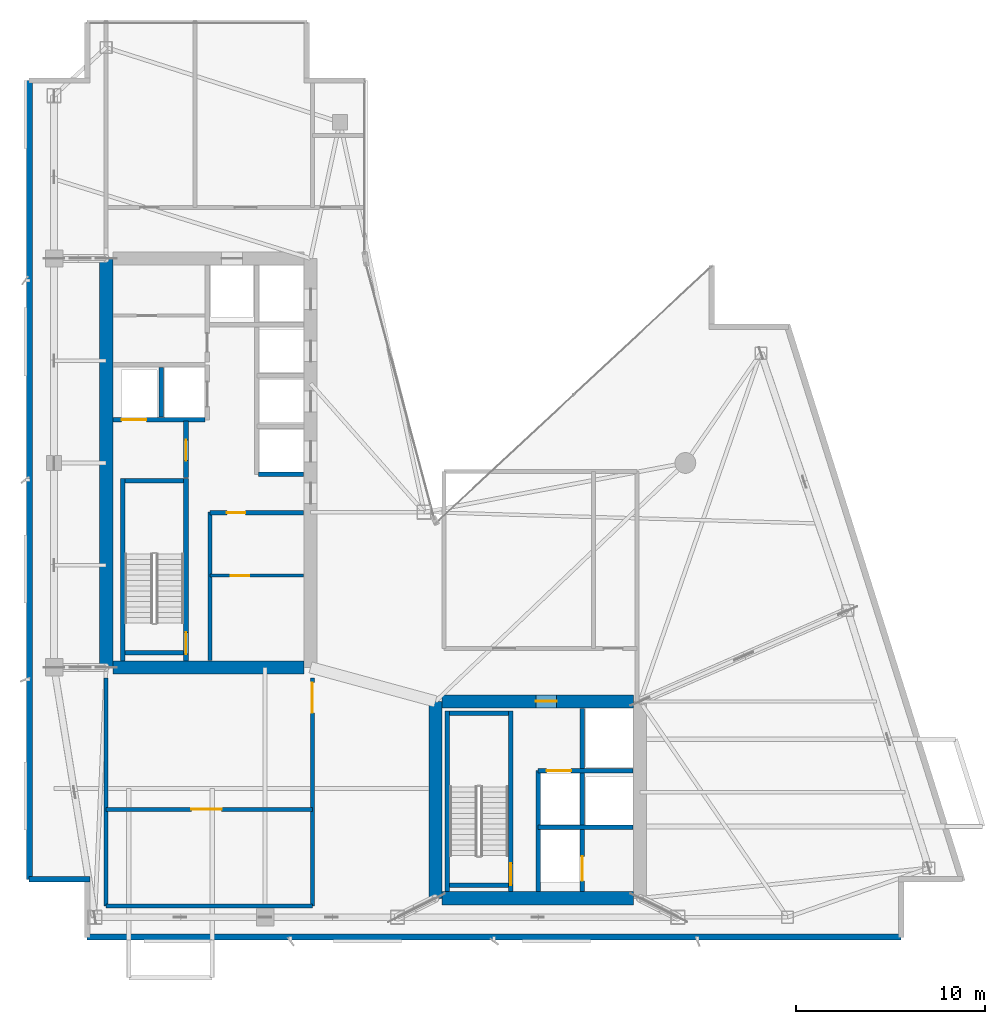
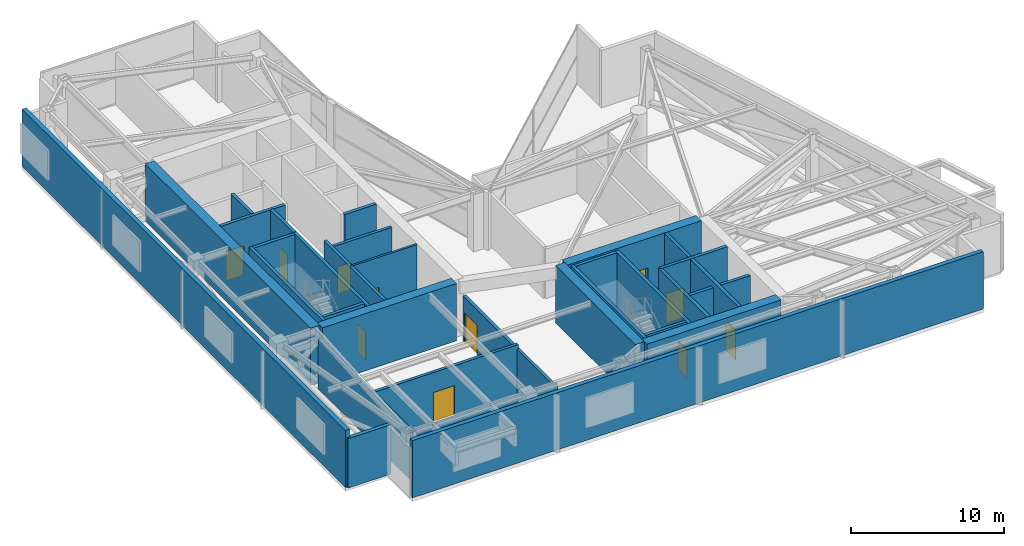
# One storey, part 12 of 16: 31 walls, 11 doors, 11 openings.
"""IFC4 building model written with IfcOpenShell, lengths in metres."""

from ifc_helpers import new_model, si_unit, direction, frame, frame_2d, origin, place, context, subcontext, project, spatial, rectangle, extrude, material, layer, layer_set, type_object, element, fill, save


model = new_model("IFC4")

# Units and contexts
model_context = context("Model", 3, precision=1e-05, world=origin(), true_north=direction((0.0, 1.0)))
body_context = subcontext(model_context, "Body", "Model", "MODEL_VIEW")
ifc_project = project(units=[si_unit("LENGTHUNIT", "METRE"), si_unit("AREAUNIT", "SQUARE_METRE"), si_unit("VOLUMEUNIT", "CUBIC_METRE"), si_unit("PLANEANGLEUNIT", "RADIAN"), si_unit("MASSUNIT", "GRAM", prefix="KILO")], contexts=[model_context])

# Site, building, storey
site_placement = place(None, origin())
site = spatial("IfcSite", under=ifc_project, at=site_placement, CompositionType="ELEMENT")
building_placement = place(site_placement, origin())
building = spatial("IfcBuilding", under=site, at=building_placement, Name="Calvorn Quay Hotel", CompositionType="ELEMENT")
storey_placement = place(building_placement, frame((0.0, 0.0, 234.5)))
storey = spatial("IfcBuildingStorey", under=building, at=storey_placement, Name="L58", CompositionType="ELEMENT", Elevation=234.5)

# Walls
ifc_material_1 = material(Name="Concrete C45", Category="concrete")
ifc_layer_1 = layer(ifc_material_1, 0.699951171875)
ifc_layer_set_1 = layer_set([ifc_layer_1], Name="WL-CORE-700")
wall_type_1 = type_object("IfcWallType", Name="WL-CORE-700", PredefinedType="SHEAR", material=ifc_layer_set_1)
wall_1_placement = place(storey_placement, frame((4.199951171875, 16.800048828125, 0.0), z_axis=(0.0, 0.0, 1.0), x_axis=(0.0, 1.0, 0.0)))
element("IfcWall", 1, at=wall_1_placement, inside=storey, type_object=wall_type_1, Name="West Core Shear Wall W (L58)", PredefinedType="SHEAR", context=body_context, shape_type="SweptSolid", body=[
    extrude(rectangle(XDim=21.599853515625, YDim=0.699951171875, at=frame_2d((10.7998046875, 0.0))), origin(), (0.0, 0.0, 1.0), 4.56005859375),
])
wall_2_placement = place(storey_placement, frame((4.550048828125, 16.800048828125, 0.0), z_axis=(0.0, 0.0, 1.0), x_axis=(1.0, 0.0, 0.0)))
element("IfcWall", 2, at=wall_2_placement, inside=storey, type_object=wall_type_1, Name="West Core Shear Wall S (L58)", PredefinedType="SHEAR", context=body_context, shape_type="SweptSolid", body=[
    extrude(rectangle(XDim=10.099853515625, YDim=0.699951171875, at=frame_2d((5.0498046875, 0.0))), origin(), (0.0, 0.0, 1.0), 4.56005859375),
])
wall_3_placement = place(storey_placement, frame((21.60009765625, 4.60009765625, 0.0), z_axis=(0.0, 0.0, 1.0), x_axis=(0.0, 1.0, 0.0)))
element("IfcWall", 3, at=wall_3_placement, inside=storey, type_object=wall_type_1, Name="East Core Shear Wall W (L58)", PredefinedType="SHEAR", context=body_context, shape_type="SweptSolid", body=[
    extrude(rectangle(XDim=10.39990234375, YDim=0.699951171875, at=frame_2d((5.199951171875, 0.0))), origin(), (0.0, 0.0, 1.0), 4.56005859375),
])

# Wall, opening, door
wall_4_placement = place(storey_placement, frame((21.949951171875, 15.0, 0.0), z_axis=(0.0, 0.0, 1.0), x_axis=(1.0, 0.0, 0.0)))
wall_4 = element("IfcWall", 4, at=wall_4_placement, inside=storey, type_object=wall_type_1, Name="East Core Shear Wall N (L58)", PredefinedType="SHEAR", context=body_context, shape_type="SweptSolid", body=[
    extrude(rectangle(XDim=10.10009765625, YDim=0.699951171875, at=frame_2d((5.050048828125, 0.0))), origin(), (0.0, 0.0, 1.0), 4.56005859375),
])
opening_1_placement = place(wall_4_placement, frame((4.949951171875, 0.0, 0.0)))
opening_1 = element("IfcOpeningElement", 5, at=opening_1_placement, cuts=wall_4, Name="Opening D-L58-FLE", PredefinedType="OPENING", context=body_context, shape_type="SweptSolid", body=[
    extrude(rectangle(XDim=1.10009765625, YDim=2.199951171875, at=frame_2d((0.550048828125, 1.10009765625))), frame((0.0, 0.35986328125, 0.0), z_axis=(0.0, -1.0, 0.0), x_axis=(1.0, 0.0, 0.0)), (0.0, 0.0, 1.0), 0.719970703125),
])
ifc_material_2 = material(Name="Smoke-Sealed Steel Class A Fire Door", Category="steel")
door_type_1 = type_object("IfcDoorType", Name="DR-FFLOBBY-1100", OperationType="NOTDEFINED", PredefinedType="DOOR", material=ifc_material_2)
door_1_placement = place(opening_1_placement, origin())
door_1 = element("IfcDoor", 6, at=door_1_placement, inside=storey, type_object=door_type_1, Name="East Firefighting Lobby Fire Door (L58)", OperationType="SINGLE_SWING_RIGHT", OverallHeight=2.199951171875, OverallWidth=1.10009765625, PredefinedType="DOOR", context=body_context, shape_type="SweptSolid", body=[
    extrude(rectangle(XDim=1.10009765625, YDim=2.199951171875, at=frame_2d((0.550048828125, 1.10009765625))), frame((0.0, 0.02490234375, 0.0), z_axis=(0.0, -1.0, 0.0), x_axis=(1.0, 0.0, 0.0)), (0.0, 0.0, 1.0), 0.050048828125),
])
fill(opening_1, door_1)

# Walls
wall_5_placement = place(storey_placement, frame((21.949951171875, 4.60009765625, 0.0), z_axis=(0.0, 0.0, 1.0), x_axis=(1.0, 0.0, 0.0)))
element("IfcWall", 7, at=wall_5_placement, inside=storey, type_object=wall_type_1, Name="East Core Shear Wall S (L58)", PredefinedType="SHEAR", context=body_context, shape_type="SweptSolid", body=[
    extrude(rectangle(XDim=10.10009765625, YDim=0.699951171875, at=frame_2d((5.050048828125, 0.0))), origin(), (0.0, 0.0, 1.0), 4.56005859375),
])
ifc_material_3 = material(Name="Concrete C40", Category="concrete")
ifc_layer_2 = layer(ifc_material_3, 0.320068359375)
ifc_layer_set_2 = layer_set([ifc_layer_2], Name="WL-EXT-SPANDREL-320")
wall_type_2 = type_object("IfcWallType", Name="WL-EXT-SPANDREL-320", PredefinedType="SOLIDWALL", material=ifc_layer_set_2)
wall_6_placement = place(storey_placement, frame((0.159912109375, 5.60009765625, 0.0), z_axis=(0.0, 0.0, 1.0), x_axis=(0.0, 1.0, 0.0)))
element("IfcWall", 8, at=wall_6_placement, inside=storey, type_object=wall_type_2, Name="Refuge Mechanical Louvre Spandrel Wall West (L58)", PredefinedType="SOLIDWALL", context=body_context, shape_type="SweptSolid", body=[
    extrude(rectangle(XDim=42.199951171875, YDim=0.320068359375, at=frame_2d((21.10009765625, 0.0))), origin(), (0.0, 0.0, 1.0), 4.56005859375),
])
wall_7_placement = place(storey_placement, frame((3.199951171875, 2.56005859375, 0.0), z_axis=(0.0, 0.0, 1.0), x_axis=(1.0, 0.0, 0.0)))
element("IfcWall", 9, at=wall_7_placement, inside=storey, type_object=wall_type_2, Name="Refuge Mechanical Louvre Spandrel Wall South (L58)", PredefinedType="SOLIDWALL", context=body_context, shape_type="SweptSolid", body=[
    extrude(rectangle(XDim=43.0, YDim=0.320068359375, at=frame_2d((21.5, 0.0))), origin(), (0.0, 0.0, 1.0), 4.56005859375),
])
wall_8_placement = place(storey_placement, frame((0.1201171875, 5.60009765625, 0.0), z_axis=(0.0, 0.0, 1.0), x_axis=(1.0, 0.0, 0.0)))
element("IfcWall", 10, at=wall_8_placement, inside=storey, type_object=wall_type_2, Name="Notched Corner Spandrel L58-SW1", PredefinedType="SOLIDWALL", context=body_context, shape_type="SweptSolid", body=[
    extrude(rectangle(XDim=3.219970703125, YDim=0.280029296875, at=frame_2d((1.60986328125, 0.0))), origin(), (0.0, 0.0, 1.0), 3.93994140625),
])

# Wall, opening, door
ifc_material_4 = material(Name="Double-Stud Acoustic Gypsum Partition")
ifc_layer_3 = layer(ifc_material_4, 0.159912109375)
ifc_layer_set_3 = layer_set([ifc_layer_3], Name="WL-INTERSUITE-160")
wall_type_3 = type_object("IfcWallType", Name="WL-INTERSUITE-160", PredefinedType="PARTITIONING", material=ifc_layer_set_3)
wall_9_placement = place(storey_placement, frame((9.679931640625, 21.64990234375, 0.0), z_axis=(0.0, 0.0, 1.0), x_axis=(1.0, 0.0, 0.0)))
wall_9 = element("IfcWall", 11, at=wall_9_placement, inside=storey, type_object=wall_type_3, Name="Partition Wall L58-WL-CWW-FR-SPLIT", PredefinedType="PARTITIONING", context=body_context, shape_type="SweptSolid", body=[
    extrude(rectangle(XDim=4.949951171875, YDim=0.159912109375, at=frame_2d((2.47509765625, 0.0))), origin(), (0.0, 0.0, 1.0), 4.56005859375),
])
opening_2_placement = place(wall_9_placement, frame((1.10009765625, 0.0, 0.0)))
opening_2 = element("IfcOpeningElement", 12, at=opening_2_placement, cuts=wall_9, Name="Opening D-L58-FRL1", PredefinedType="OPENING", context=body_context, shape_type="SweptSolid", body=[
    extrude(rectangle(XDim=0.97998046875, YDim=2.14990234375, at=frame_2d((0.489990234375, 1.074951171875))), frame((0.0, 0.08984375, 0.0), z_axis=(0.0, -1.0, 0.0), x_axis=(1.0, 0.0, 0.0)), (0.0, 0.0, 1.0), 0.179931640625),
])
ifc_material_5 = material(Name="Painted Steel Housekeeping/Riser Fire Door", Category="steel")
door_type_2 = type_object("IfcDoorType", Name="DR-SERVICE-980", OperationType="NOTDEFINED", PredefinedType="DOOR", material=ifc_material_5)
door_2_placement = place(opening_2_placement, origin())
door_2 = element("IfcDoor", 13, at=door_2_placement, inside=storey, type_object=door_type_2, Name="Linen Store Room Door (L58)", OperationType="SINGLE_SWING_LEFT", OverallHeight=2.14990234375, OverallWidth=0.97998046875, PredefinedType="DOOR", context=body_context, shape_type="SweptSolid", body=[
    extrude(rectangle(XDim=0.97998046875, YDim=2.14990234375, at=frame_2d((0.489990234375, 1.074951171875))), frame((0.0, 0.02490234375, 0.0), z_axis=(0.0, -1.0, 0.0), x_axis=(1.0, 0.0, 0.0)), (0.0, 0.0, 1.0), 0.050048828125),
])
fill(opening_2, door_2)

# Wall
ifc_material_6 = material(Name="Autoclaved Aerated Masonry Block", Category="masonry")
ifc_layer_4 = layer(ifc_material_6, 0.219970703125)
ifc_layer_set_4 = layer_set([ifc_layer_4], Name="WL-LOBBY-FIRE-220")
wall_type_4 = type_object("IfcWallType", Name="WL-LOBBY-FIRE-220", PredefinedType="SOLIDWALL", material=ifc_layer_set_4)
wall_10_placement = place(storey_placement, frame((9.679931640625, 17.169921875, 0.0), z_axis=(0.0, 0.0, 1.0), x_axis=(0.0, 1.0, 0.0)))
element("IfcWall", 14, at=wall_10_placement, inside=storey, type_object=wall_type_4, Name="Partition Wall L58-WL-CWW-STW-HALL-E", PredefinedType="SOLIDWALL", context=body_context, shape_type="SweptSolid", body=[
    extrude(rectangle(XDim=7.830078125, YDim=0.219970703125, at=frame_2d((3.9150390625, 0.0))), origin(), (0.0, 0.0, 1.0), 4.56005859375),
])

# Wall, opening, door
wall_11_placement = place(storey_placement, frame((9.679931640625, 24.969970703125, 0.0), z_axis=(0.0, 0.0, 1.0), x_axis=(1.0, 0.0, 0.0)))
wall_11 = element("IfcWall", 15, at=wall_11_placement, inside=storey, type_object=wall_type_4, Name="Partition Wall L58-WL-CWW-FR-N", PredefinedType="SOLIDWALL", context=body_context, shape_type="SweptSolid", body=[
    extrude(rectangle(XDim=4.949951171875, YDim=0.219970703125, at=frame_2d((2.47509765625, 0.0))), origin(), (0.0, 0.0, 1.0), 3.93994140625),
])
opening_3_placement = place(wall_11_placement, frame((0.89990234375, 0.0, 0.0)))
opening_3 = element("IfcOpeningElement", 16, at=opening_3_placement, cuts=wall_11, Name="Opening D-L58-FRL2", PredefinedType="OPENING", context=body_context, shape_type="SweptSolid", body=[
    extrude(rectangle(XDim=0.97998046875, YDim=2.14990234375, at=frame_2d((0.489990234375, 1.074951171875))), frame((0.0, 0.119873046875, 0.0), z_axis=(0.0, -1.0, 0.0), x_axis=(1.0, 0.0, 0.0)), (0.0, 0.0, 1.0), 0.239990234375),
])
door_3_placement = place(opening_3_placement, origin())
door_3 = element("IfcDoor", 17, at=door_3_placement, inside=storey, type_object=door_type_2, Name="Beverage Pantry Door (L58)", OperationType="SINGLE_SWING_RIGHT", OverallHeight=2.14990234375, OverallWidth=0.97998046875, PredefinedType="DOOR", context=body_context, shape_type="SweptSolid", body=[
    extrude(rectangle(XDim=0.97998046875, YDim=2.14990234375, at=frame_2d((0.489990234375, 1.074951171875))), frame((0.0, 0.02490234375, 0.0), z_axis=(0.0, -1.0, 0.0), x_axis=(1.0, 0.0, 0.0)), (0.0, 0.0, 1.0), 0.050048828125),
])
fill(opening_3, door_3)

# Walls
wall_12_placement = place(storey_placement, frame((4.199951171875, 4.199951171875, 0.0), z_axis=(0.0, 0.0, 1.0), x_axis=(0.0, 1.0, 0.0)))
element("IfcWall", 18, at=wall_12_placement, inside=storey, type_object=wall_type_4, Name="Partition Wall L58-WL-RF-BELT-W", PredefinedType="SOLIDWALL", context=body_context, shape_type="SweptSolid", body=[
    extrude(rectangle(XDim=12.050048828125, YDim=0.219970703125, at=frame_2d((6.02490234375, 0.0))), origin(), (0.0, 0.0, 1.0), 3.93994140625),
])
wall_13_placement = place(storey_placement, frame((4.199951171875, 4.199951171875, 0.0), z_axis=(0.0, 0.0, 1.0), x_axis=(1.0, 0.0, 0.0)))
element("IfcWall", 19, at=wall_13_placement, inside=storey, type_object=wall_type_4, Name="Partition Wall L58-WL-RF-BELT-S", PredefinedType="SOLIDWALL", context=body_context, shape_type="SweptSolid", body=[
    extrude(rectangle(XDim=10.900146484375, YDim=0.219970703125, at=frame_2d((5.4501953125, 0.0))), origin(), (0.0, 0.0, 1.0), 3.93994140625),
])

# Wall, opening, door
wall_14_placement = place(storey_placement, frame((4.199951171875, 9.300048828125, 0.0), z_axis=(0.0, 0.0, 1.0), x_axis=(1.0, 0.0, 0.0)))
wall_14 = element("IfcWall", 20, at=wall_14_placement, inside=storey, type_object=wall_type_4, Name="Partition Wall L58-WL-RF-PLT-M", PredefinedType="SOLIDWALL", context=body_context, shape_type="SweptSolid", body=[
    extrude(rectangle(XDim=10.900146484375, YDim=0.219970703125, at=frame_2d((5.4501953125, 0.0))), origin(), (0.0, 0.0, 1.0), 3.93994140625),
])
opening_4_placement = place(wall_14_placement, frame((4.5, 0.0, 0.0)))
opening_4 = element("IfcOpeningElement", 21, at=opening_4_placement, cuts=wall_14, Name="Opening D-L58-P2", PredefinedType="OPENING", context=body_context, shape_type="SweptSolid", body=[
    extrude(rectangle(XDim=1.60009765625, YDim=2.35009765625, at=frame_2d((0.800048828125, 1.175048828125))), frame((0.0, 0.119873046875, 0.0), z_axis=(0.0, -1.0, 0.0), x_axis=(1.0, 0.0, 0.0)), (0.0, 0.0, 1.0), 0.239990234375),
])
ifc_material_7 = material(Name="Heavy-Duty Steel Acoustic Plant Fire Door", Category="steel")
door_type_3 = type_object("IfcDoorType", Name="DR-PLANT-DBL-1600", OperationType="NOTDEFINED", PredefinedType="DOOR", material=ifc_material_7)
door_4_placement = place(opening_4_placement, origin())
door_4 = element("IfcDoor", 22, at=door_4_placement, inside=storey, type_object=door_type_3, Name="Fire Pump Room Door", OperationType="SINGLE_SWING_RIGHT", OverallHeight=2.35009765625, OverallWidth=1.60009765625, PredefinedType="DOOR", context=body_context, shape_type="SweptSolid", body=[
    extrude(rectangle(XDim=1.60009765625, YDim=2.35009765625, at=frame_2d((0.800048828125, 1.175048828125))), frame((0.0, 0.02490234375, 0.0), z_axis=(0.0, -1.0, 0.0), x_axis=(1.0, 0.0, 0.0)), (0.0, 0.0, 1.0), 0.050048828125),
])
fill(opening_4, door_4)

wall_15_placement = place(storey_placement, frame((15.10009765625, 4.199951171875, 0.0), z_axis=(0.0, 0.0, 1.0), x_axis=(0.0, 1.0, 0.0)))
wall_15 = element("IfcWall", 23, at=wall_15_placement, inside=storey, type_object=wall_type_4, Name="Partition Wall L58-WL-RF-PLT-E", PredefinedType="SOLIDWALL", context=body_context, shape_type="SweptSolid", body=[
    extrude(rectangle(XDim=12.050048828125, YDim=0.219970703125, at=frame_2d((6.02490234375, 0.0))), origin(), (0.0, 0.0, 1.0), 3.590087890625),
])
opening_5_placement = place(wall_15_placement, frame((10.199951171875, 0.0, 0.0)))
opening_5 = element("IfcOpeningElement", 24, at=opening_5_placement, cuts=wall_15, Name="Opening D-L58-P1", PredefinedType="OPENING", context=body_context, shape_type="SweptSolid", body=[
    extrude(rectangle(XDim=1.60009765625, YDim=2.35009765625, at=frame_2d((0.800048828125, 1.175048828125))), frame((0.0, 0.119873046875, 0.0), z_axis=(0.0, -1.0, 0.0), x_axis=(1.0, 0.0, 0.0)), (0.0, 0.0, 1.0), 0.239990234375),
])
door_5_placement = place(opening_5_placement, origin())
door_5 = element("IfcDoor", 25, at=door_5_placement, inside=storey, type_object=door_type_3, Name="HVAC Plant Fire Door", OperationType="SINGLE_SWING_LEFT", OverallHeight=2.35009765625, OverallWidth=1.60009765625, PredefinedType="DOOR", context=body_context, shape_type="SweptSolid", body=[
    extrude(rectangle(XDim=1.60009765625, YDim=2.35009765625, at=frame_2d((0.800048828125, 1.175048828125))), frame((0.0, 0.02490234375, 0.0), z_axis=(0.0, -1.0, 0.0), x_axis=(1.0, 0.0, 0.0)), (0.0, 0.0, 1.0), 0.050048828125),
])
fill(opening_5, door_5)

# Wall
ifc_material_8 = material(Name="Concrete C40", Category="concrete")
ifc_layer_5 = layer(ifc_material_8, 0.239990234375)
ifc_layer_set_5 = layer_set([ifc_layer_5], Name="WL-SHAFT-240")
wall_type_5 = type_object("IfcWallType", Name="WL-SHAFT-240", PredefinedType="SOLIDWALL", material=ifc_layer_set_5)
wall_16_placement = place(storey_placement, frame((5.080078125, 17.14990234375, 0.0), z_axis=(0.0, 0.0, 1.0), x_axis=(0.0, 1.0, 0.0)))
element("IfcWall", 26, at=wall_16_placement, inside=storey, type_object=wall_type_5, Name="Stair STW Shaft Wall W (L58)", PredefinedType="SOLIDWALL", context=body_context, shape_type="SweptSolid", body=[
    extrude(rectangle(XDim=9.64013671875, YDim=0.239990234375, at=frame_2d((4.820068359375, 0.0))), origin(), (0.0, 0.0, 1.0), 4.56005859375),
])

# Wall, opening, door
wall_17_placement = place(storey_placement, frame((8.419921875, 17.14990234375, 0.0), z_axis=(0.0, 0.0, 1.0), x_axis=(0.0, 1.0, 0.0)))
wall_17 = element("IfcWall", 27, at=wall_17_placement, inside=storey, type_object=wall_type_5, Name="Stair STW Shaft Wall E (L58)", PredefinedType="SOLIDWALL", context=body_context, shape_type="SweptSolid", body=[
    extrude(rectangle(XDim=9.64013671875, YDim=0.239990234375, at=frame_2d((4.820068359375, 0.0))), origin(), (0.0, 0.0, 1.0), 4.56005859375),
])
opening_6_placement = place(wall_17_placement, frame((0.35009765625, 0.0, 0.0)))
opening_6 = element("IfcOpeningElement", 28, at=opening_6_placement, cuts=wall_17, Name="Opening D-L58-STW", PredefinedType="OPENING", context=body_context, shape_type="SweptSolid", body=[
    extrude(rectangle(XDim=1.14990234375, YDim=2.199951171875, at=frame_2d((0.574951171875, 1.10009765625))), frame((0.0, 0.1298828125, 0.0), z_axis=(0.0, -1.0, 0.0), x_axis=(1.0, 0.0, 0.0)), (0.0, 0.0, 1.0), 0.260009765625),
])
ifc_material_9 = material(Name="Galvanised Steel Class A Fire Door", Category="steel")
door_type_4 = type_object("IfcDoorType", Name="DR-STAIR-SMOKE-1150", OperationType="NOTDEFINED", PredefinedType="DOOR", material=ifc_material_9)
door_6_placement = place(opening_6_placement, origin())
door_6 = element("IfcDoor", 29, at=door_6_placement, inside=storey, type_object=door_type_4, Name="Stair ST-W Fire Door (L58)", OperationType="SINGLE_SWING_LEFT", OverallHeight=2.199951171875, OverallWidth=1.14990234375, PredefinedType="DOOR", context=body_context, shape_type="SweptSolid", body=[
    extrude(rectangle(XDim=1.14990234375, YDim=2.199951171875, at=frame_2d((0.574951171875, 1.10009765625))), frame((0.0, 0.02490234375, 0.0), z_axis=(0.0, -1.0, 0.0), x_axis=(1.0, 0.0, 0.0)), (0.0, 0.0, 1.0), 0.050048828125),
])
fill(opening_6, door_6)

# Walls
for number, where, z_axis, x_axis, name in (
    (30, (5.199951171875, 17.580078125, 0.0), (0.0, 0.0, 1.0), (1.0, 0.0, 0.0), "Stair STW Shaft Wall S (L58)"),
    (31, (5.199951171875, 26.669921875, 0.0), (0.0, 0.0, 1.0), (1.0, 0.0, 0.0), "Stair STW Shaft Wall N (L58)"),
):
    element("IfcWall", number, at=place(storey_placement, frame(where, z_axis=z_axis, x_axis=x_axis)), inside=storey, type_object=wall_type_5, Name=name, PredefinedType="SOLIDWALL", context=body_context, shape_type="SweptSolid", body=[
        extrude(rectangle(XDim=3.10009765625, YDim=0.239990234375, at=frame_2d((1.550048828125, 0.0))), origin(), (0.0, 0.0, 1.0), 4.56005859375),
    ])
wall_18_placement = place(storey_placement, frame((22.22998046875, 4.949951171875, 0.0), z_axis=(0.0, 0.0, 1.0), x_axis=(0.0, 1.0, 0.0)))
element("IfcWall", 32, at=wall_18_placement, inside=storey, type_object=wall_type_5, Name="Stair STE Shaft Wall W (L58)", PredefinedType="SOLIDWALL", context=body_context, shape_type="SweptSolid", body=[
    extrude(rectangle(XDim=9.5400390625, YDim=0.239990234375, at=frame_2d((4.77001953125, 0.0))), origin(), (0.0, 0.0, 1.0), 4.56005859375),
])

# Wall, opening, door
wall_19_placement = place(storey_placement, frame((25.570068359375, 4.949951171875, 0.0), z_axis=(0.0, 0.0, 1.0), x_axis=(0.0, 1.0, 0.0)))
wall_19 = element("IfcWall", 33, at=wall_19_placement, inside=storey, type_object=wall_type_5, Name="Stair STE Shaft Wall E (L58)", PredefinedType="SOLIDWALL", context=body_context, shape_type="SweptSolid", body=[
    extrude(rectangle(XDim=9.5400390625, YDim=0.239990234375, at=frame_2d((4.77001953125, 0.0))), origin(), (0.0, 0.0, 1.0), 4.56005859375),
])
opening_7_placement = place(wall_19_placement, frame((0.35009765625, 0.0, 0.0)))
opening_7 = element("IfcOpeningElement", 34, at=opening_7_placement, cuts=wall_19, Name="Opening D-L58-STE", PredefinedType="OPENING", context=body_context, shape_type="SweptSolid", body=[
    extrude(rectangle(XDim=1.14990234375, YDim=2.199951171875, at=frame_2d((0.574951171875, 1.10009765625))), frame((0.0, 0.1298828125, 0.0), z_axis=(0.0, -1.0, 0.0), x_axis=(1.0, 0.0, 0.0)), (0.0, 0.0, 1.0), 0.260009765625),
])
door_7_placement = place(opening_7_placement, origin())
door_7 = element("IfcDoor", 35, at=door_7_placement, inside=storey, type_object=door_type_4, Name="Stair ST-E Fire Door (L58)", OperationType="SINGLE_SWING_RIGHT", OverallHeight=2.199951171875, OverallWidth=1.14990234375, PredefinedType="DOOR", context=body_context, shape_type="SweptSolid", body=[
    extrude(rectangle(XDim=1.14990234375, YDim=2.199951171875, at=frame_2d((0.574951171875, 1.10009765625))), frame((0.0, 0.02490234375, 0.0), z_axis=(0.0, -1.0, 0.0), x_axis=(1.0, 0.0, 0.0)), (0.0, 0.0, 1.0), 0.050048828125),
])
fill(opening_7, door_7)

# Walls
for number, where, z_axis, x_axis, name in (
    (36, (22.35009765625, 5.280029296875, 0.0), (0.0, 0.0, 1.0), (1.0, 0.0, 0.0), "Stair STE Shaft Wall S (L58)"),
    (37, (22.35009765625, 14.3701171875, 0.0), (0.0, 0.0, 1.0), (1.0, 0.0, 0.0), "Stair STE Shaft Wall N (L58)"),
):
    element("IfcWall", number, at=place(storey_placement, frame(where, z_axis=z_axis, x_axis=x_axis)), inside=storey, type_object=wall_type_5, Name=name, PredefinedType="SOLIDWALL", context=body_context, shape_type="SweptSolid", body=[
        extrude(rectangle(XDim=3.099853515625, YDim=0.239990234375, at=frame_2d((1.5498046875, 0.0))), origin(), (0.0, 0.0, 1.0), 4.56005859375),
    ])

# Wall, opening, door
wall_20_placement = place(storey_placement, frame((8.419921875, 26.820068359375, 0.0), z_axis=(0.0, 0.0, 1.0), x_axis=(0.0, 1.0, 0.0)))
wall_20 = element("IfcWall", 38, at=wall_20_placement, inside=storey, type_object=wall_type_5, Name="Partition Wall L58-WL-CWW-FFL-E", PredefinedType="SOLIDWALL", context=body_context, shape_type="SweptSolid", body=[
    extrude(rectangle(XDim=3.0, YDim=0.239990234375, at=frame_2d((1.5, 0.0))), origin(), (0.0, 0.0, 1.0), 4.56005859375),
])
opening_8_placement = place(wall_20_placement, frame((0.89990234375, 0.0, 0.0)))
opening_8 = element("IfcOpeningElement", 39, at=opening_8_placement, cuts=wall_20, Name="Opening D-L58-FLW", PredefinedType="OPENING", context=body_context, shape_type="SweptSolid", body=[
    extrude(rectangle(XDim=1.10009765625, YDim=2.199951171875, at=frame_2d((0.550048828125, 1.10009765625))), frame((0.0, 0.1298828125, 0.0), z_axis=(0.0, -1.0, 0.0), x_axis=(1.0, 0.0, 0.0)), (0.0, 0.0, 1.0), 0.260009765625),
])
door_8_placement = place(opening_8_placement, origin())
door_8 = element("IfcDoor", 40, at=door_8_placement, inside=storey, type_object=door_type_1, Name="West Firefighting Lobby Fire Door (L58)", OperationType="SINGLE_SWING_RIGHT", OverallHeight=2.199951171875, OverallWidth=1.10009765625, PredefinedType="DOOR", context=body_context, shape_type="SweptSolid", body=[
    extrude(rectangle(XDim=1.10009765625, YDim=2.199951171875, at=frame_2d((0.550048828125, 1.10009765625))), frame((0.0, 0.02490234375, 0.0), z_axis=(0.0, -1.0, 0.0), x_axis=(1.0, 0.0, 0.0)), (0.0, 0.0, 1.0), 0.050048828125),
])
fill(opening_8, door_8)

wall_21_placement = place(storey_placement, frame((4.570068359375, 29.8798828125, 0.0), z_axis=(0.0, 0.0, 1.0), x_axis=(1.0, 0.0, 0.0)))
wall_21 = element("IfcWall", 41, at=wall_21_placement, inside=storey, type_object=wall_type_5, Name="Partition Wall L58-WL-CWW-FLW-S", PredefinedType="SOLIDWALL", context=body_context, shape_type="SweptSolid", body=[
    extrude(rectangle(XDim=4.849853515625, YDim=0.239990234375, at=frame_2d((2.4248046875, 0.0))), origin(), (0.0, 0.0, 1.0), 4.56005859375),
])
opening_9_placement = place(wall_21_placement, frame((0.449951171875, 0.0, 0.0)))
opening_9 = element("IfcOpeningElement", 42, at=opening_9_placement, cuts=wall_21, Name="Opening LD-L58-FLW1", PredefinedType="OPENING", context=body_context, shape_type="SweptSolid", body=[
    extrude(rectangle(XDim=1.300048828125, YDim=2.35009765625, at=frame_2d((0.64990234375, 1.175048828125))), frame((0.0, 0.1298828125, 0.0), z_axis=(0.0, -1.0, 0.0), x_axis=(1.0, 0.0, 0.0)), (0.0, 0.0, 1.0), 0.260009765625),
])
ifc_material_10 = material(Name="Champagne-Bronze Sliding Express Lift Landing Door")
door_type_5 = type_object("IfcDoorType", Name="DR-LIFT-SHUTTLE-1300", OperationType="NOTDEFINED", PredefinedType="DOOR", material=ifc_material_10)
door_9_placement = place(opening_9_placement, origin())
door_9 = element("IfcDoor", 43, at=door_9_placement, inside=storey, type_object=door_type_5, Name="Firefighting Lift FL-W1 Landing Door (L58)", OperationType="DOUBLE_DOOR_SLIDING", OverallHeight=2.35009765625, OverallWidth=1.300048828125, PredefinedType="DOOR", context=body_context, shape_type="SweptSolid", body=[
    extrude(rectangle(XDim=1.300048828125, YDim=2.35009765625, at=frame_2d((0.64990234375, 1.175048828125))), frame((0.0, 0.02490234375, 0.0), z_axis=(0.0, -1.0, 0.0), x_axis=(1.0, 0.0, 0.0)), (0.0, 0.0, 1.0), 0.050048828125),
])
fill(opening_9, door_9)

# Walls
wall_22_placement = place(storey_placement, frame((7.10009765625, 30.02001953125, 0.0), z_axis=(0.0, 0.0, 1.0), x_axis=(0.0, 1.0, 0.0)))
element("IfcWall", 44, at=wall_22_placement, inside=storey, type_object=wall_type_5, Name="Partition Wall L58-WL-CWW-FLW-DIV", PredefinedType="SOLIDWALL", context=body_context, shape_type="SweptSolid", body=[
    extrude(rectangle(XDim=2.6298828125, YDim=0.239990234375, at=frame_2d((1.31494140625, 0.0))), origin(), (0.0, 0.0, 1.0), 4.56005859375),
])
wall_23_placement = place(storey_placement, frame((12.25, 27.0, 0.0), z_axis=(0.0, 0.0, 1.0), x_axis=(1.0, 0.0, 0.0)))
element("IfcWall", 45, at=wall_23_placement, inside=storey, type_object=wall_type_5, Name="Partition Wall L58-WL-CWW-PLM-S", PredefinedType="SOLIDWALL", context=body_context, shape_type="SweptSolid", body=[
    extrude(rectangle(XDim=2.3798828125, YDim=0.239990234375, at=frame_2d((1.18994140625, 0.0))), origin(), (0.0, 0.0, 1.0), 4.56005859375),
])
wall_24_placement = place(storey_placement, frame((27.02001953125, 4.969970703125, 0.0), z_axis=(0.0, 0.0, 1.0), x_axis=(0.0, 1.0, 0.0)))
element("IfcWall", 46, at=wall_24_placement, inside=storey, type_object=wall_type_5, Name="Partition Wall L58-WL-CWE-SH-W", PredefinedType="SOLIDWALL", context=body_context, shape_type="SweptSolid", body=[
    extrude(rectangle(XDim=6.380126953125, YDim=0.239990234375, at=frame_2d((3.18994140625, 0.0))), origin(), (0.0, 0.0, 1.0), 4.56005859375),
])

# Wall, opening, door
wall_25_placement = place(storey_placement, frame((27.02001953125, 11.35009765625, 0.0), z_axis=(0.0, 0.0, 1.0), x_axis=(1.0, 0.0, 0.0)))
wall_25 = element("IfcWall", 47, at=wall_25_placement, inside=storey, type_object=wall_type_5, Name="Partition Wall L58-WL-CWE-FFL-S", PredefinedType="SOLIDWALL", context=body_context, shape_type="SweptSolid", body=[
    extrude(rectangle(XDim=5.010009765625, YDim=0.239990234375, at=frame_2d((2.5048828125, 0.0))), origin(), (0.0, 0.0, 1.0), 4.56005859375),
])
opening_10_placement = place(wall_25_placement, frame((0.449951171875, 0.0, 0.0)))
opening_10 = element("IfcOpeningElement", 48, at=opening_10_placement, cuts=wall_25, Name="Opening LD-L58-FLE1", PredefinedType="OPENING", context=body_context, shape_type="SweptSolid", body=[
    extrude(rectangle(XDim=1.300048828125, YDim=2.35009765625, at=frame_2d((0.64990234375, 1.175048828125))), frame((0.0, 0.1298828125, 0.0), z_axis=(0.0, -1.0, 0.0), x_axis=(1.0, 0.0, 0.0)), (0.0, 0.0, 1.0), 0.260009765625),
])
door_10_placement = place(opening_10_placement, origin())
door_10 = element("IfcDoor", 49, at=door_10_placement, inside=storey, type_object=door_type_5, Name="Firefighting Lift FL-E1 Landing Door (L58)", OperationType="DOUBLE_DOOR_SLIDING", OverallHeight=2.35009765625, OverallWidth=1.300048828125, PredefinedType="DOOR", context=body_context, shape_type="SweptSolid", body=[
    extrude(rectangle(XDim=1.300048828125, YDim=2.35009765625, at=frame_2d((0.64990234375, 1.175048828125))), frame((0.0, 0.02490234375, 0.0), z_axis=(0.0, -1.0, 0.0), x_axis=(1.0, 0.0, 0.0)), (0.0, 0.0, 1.0), 0.050048828125),
])
fill(opening_10, door_10)

# Wall
wall_26_placement = place(storey_placement, frame((27.02001953125, 8.35009765625, 0.0), z_axis=(0.0, 0.0, 1.0), x_axis=(1.0, 0.0, 0.0)))
element("IfcWall", 50, at=wall_26_placement, inside=storey, type_object=wall_type_5, Name="Partition Wall L58-WL-CWE-SL-N", PredefinedType="SOLIDWALL", context=body_context, shape_type="SweptSolid", body=[
    extrude(rectangle(XDim=5.010009765625, YDim=0.239990234375, at=frame_2d((2.5048828125, 0.0))), origin(), (0.0, 0.0, 1.0), 4.090087890625),
])

# Wall, opening, door
wall_27_placement = place(storey_placement, frame((29.35009765625, 4.969970703125, 0.0), z_axis=(0.0, 0.0, 1.0), x_axis=(0.0, 1.0, 0.0)))
wall_27 = element("IfcWall", 51, at=wall_27_placement, inside=storey, type_object=wall_type_5, Name="Partition Wall L58-WL-CWE-OB-W", PredefinedType="SOLIDWALL", context=body_context, shape_type="SweptSolid", body=[
    extrude(rectangle(XDim=9.659912109375, YDim=0.239990234375, at=frame_2d((4.830078125, 0.0))), origin(), (0.0, 0.0, 1.0), 4.56005859375),
])
opening_11_placement = place(wall_27_placement, frame((0.550048828125, 0.0, 0.0)))
opening_11 = element("IfcOpeningElement", 52, at=opening_11_placement, cuts=wall_27, Name="Opening LD-L58-SLEI", PredefinedType="OPENING", context=body_context, shape_type="SweptSolid", body=[
    extrude(rectangle(XDim=1.300048828125, YDim=2.35009765625, at=frame_2d((0.64990234375, 1.175048828125))), frame((0.0, 0.1298828125, 0.0), z_axis=(0.0, -1.0, 0.0), x_axis=(1.0, 0.0, 0.0)), (0.0, 0.0, 1.0), 0.260009765625),
])
door_11_placement = place(opening_11_placement, origin())
door_11 = element("IfcDoor", 53, at=door_11_placement, inside=storey, type_object=door_type_5, Name="Service Lift SL-E1 Landing Door (L58)", OperationType="DOUBLE_DOOR_SLIDING", OverallHeight=2.35009765625, OverallWidth=1.300048828125, PredefinedType="DOOR", context=body_context, shape_type="SweptSolid", body=[
    extrude(rectangle(XDim=1.300048828125, YDim=2.35009765625, at=frame_2d((0.64990234375, 1.175048828125))), frame((0.0, 0.02490234375, 0.0), z_axis=(0.0, -1.0, 0.0), x_axis=(1.0, 0.0, 0.0)), (0.0, 0.0, 1.0), 0.050048828125),
])
fill(opening_11, door_11)

save(model, "model.ifc")
